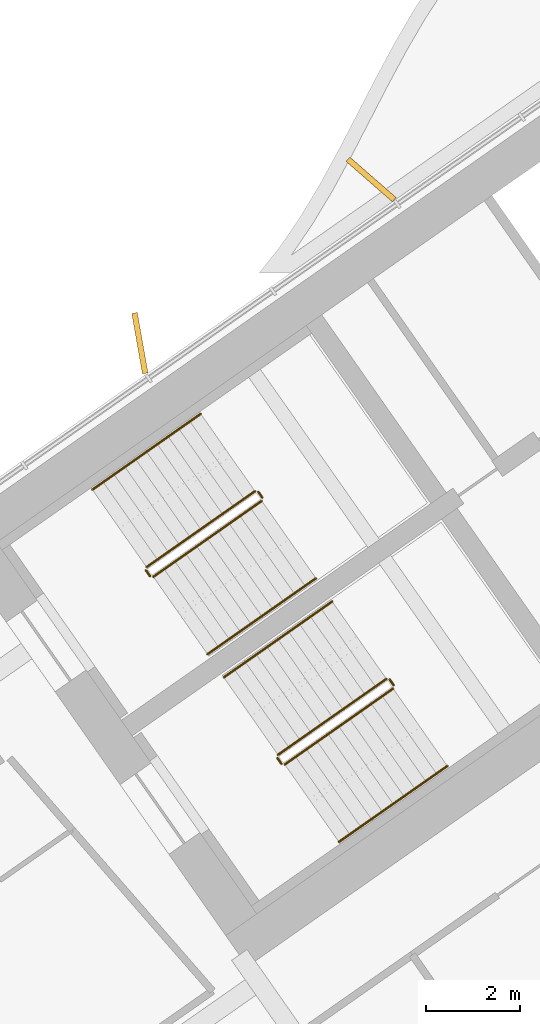
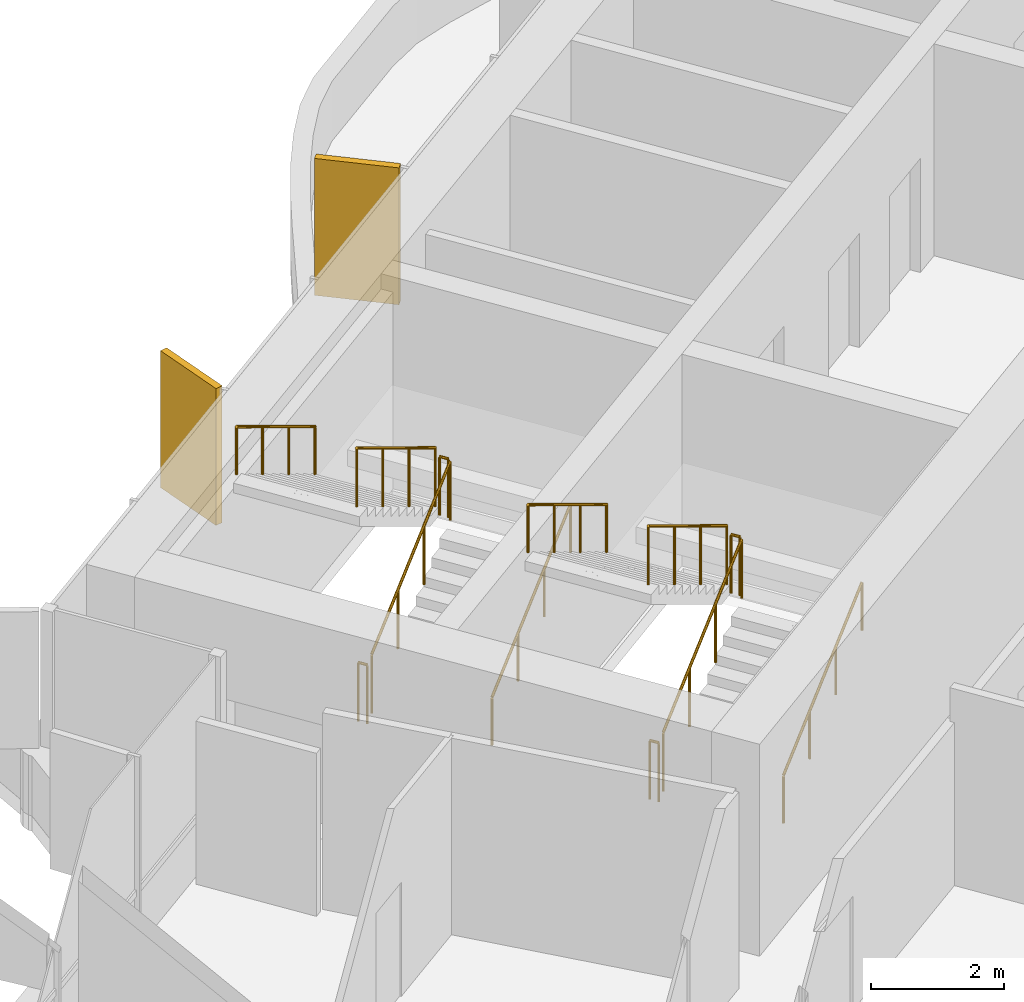
# One storey, part 18 of 21: 12 railings, 2 shading devices.
"""IFC4 building model written with IfcOpenShell, lengths in metres."""

from ifc_helpers import new_model, si_unit, direction, frame, origin, origin_2d, place, context, subcontext, project, spatial, rectangle, circle, extrude, material, layer, layer_set, type_object, element, save


model = new_model("IFC4")

# Units and contexts
model_context = context("Model", 3, precision=1e-05, world=origin(), true_north=direction((0.0, 1.0)))
body_context = subcontext(model_context, "Body", "Model", "MODEL_VIEW")
ifc_project = project(units=[si_unit("LENGTHUNIT", "METRE"), si_unit("AREAUNIT", "SQUARE_METRE"), si_unit("VOLUMEUNIT", "CUBIC_METRE"), si_unit("PLANEANGLEUNIT", "RADIAN"), si_unit("MASSUNIT", "GRAM", prefix="KILO")], contexts=[model_context])

# Site, building, storey
site_placement = place(None, origin())
site = spatial("IfcSite", under=ifc_project, at=site_placement, CompositionType="ELEMENT")
building_placement = place(site_placement, origin())
building = spatial("IfcBuilding", under=site, at=building_placement, Name="Tel Ilan Convention Tower", CompositionType="ELEMENT")
storey_placement = place(building_placement, frame((0.0, 0.0, 210.0)))
storey = spatial("IfcBuildingStorey", under=building, at=storey_placement, Name="L49", CompositionType="ELEMENT", Elevation=210.0)

# Shading devices
ifc_material_1 = material(Name="Aluminium, bronze anodised", Category="aluminium")
ifc_layer = layer(ifc_material_1, 0.1201171875)
ifc_layer_set = layer_set([ifc_layer], Name="FIN BRONZE 1300x120")
shading_device_type = type_object("IfcShadingDeviceType", Name="FIN BRONZE 1300x120", PredefinedType="USERDEFINED", material=ifc_layer_set)
for number, where, z_axis, x_axis, name in (
    (1, (-18.926025390625, 0.353271484375, 1.10009765625), (0.0, 0.0, 1.0), (-0.753435896329, 0.657521368568, 0.0), "FIN"),
    (2, (-23.82080078125, -3.11181640625, 1.10009765625), (0.0, 0.0, 1.0), (-0.173648177667, 0.984807753012, 0.0), "FIN"),
):
    element("IfcShadingDevice", number, at=place(storey_placement, frame(where, z_axis=z_axis, x_axis=x_axis)), inside=storey, type_object=shading_device_type, Name=name, ObjectType="FIN", PredefinedType="USERDEFINED", context=body_context, shape_type="SweptSolid", body=[
        extrude(rectangle(XDim=1.300048828125, YDim=0.1201171875, at=origin_2d()), origin(), (0.0, 0.0, 1.0), 2.52001953125),
    ])

# Railings
ifc_material_2 = material(Name="Stainless Steel Grade 316", Category="steel")
railing_type_1 = type_object("IfcRailingType", Name="Stainless Steel Stair Guard 1100 mm", PredefinedType="GUARDRAIL", material=ifc_material_2)
railing_1_placement = place(storey_placement, frame((-23.535400390625, -8.056396484375, 0.17724609375)))
element("IfcRailing", 3, at=railing_1_placement, inside=storey, type_object=railing_type_1, Name="L49 S1 stair guard 1", PredefinedType="GUARDRAIL", context=body_context, shape_type="SweptSolid", body=[
    extrude(circle(Radius=0.02392578125, at=origin_2d()), frame((0.0, 0.0, 1.076171875), z_axis=(0.692098378994, 0.484653031975, 0.534893701956), x_axis=(-0.573608623498, 0.819129505664, 0.0)), (0.0, 0.0, 1.0), 3.314208984375),
    extrude(circle(Radius=0.02099609375, at=origin_2d()), origin(), (0.0, 0.0, 1.0), 1.052001953125),
    extrude(circle(Radius=0.02099609375, at=origin_2d()), frame((0.7646484375, 0.535400390625, 0.5908203125)), (0.0, 0.0, 1.0), 1.052001953125),
    extrude(circle(Radius=0.02099609375, at=origin_2d()), frame((1.529052734375, 1.07080078125, 1.181884765625)), (0.0, 0.0, 1.0), 1.052001953125),
    extrude(circle(Radius=0.02099609375, at=origin_2d()), frame((2.293701171875, 1.606201171875, 1.772705078125)), (0.0, 0.0, 1.0), 1.052001953125),
])
railing_2_placement = place(storey_placement, frame((-21.2294921875, -6.380615234375, 1.949951171875)))
element("IfcRailing", 4, at=railing_2_placement, inside=storey, type_object=railing_type_1, Name="L49 S1 stair guard 2", PredefinedType="GUARDRAIL", context=body_context, shape_type="SweptSolid", body=[
    extrude(circle(Radius=0.02392578125, at=origin_2d()), frame((0.0, 0.0, 1.076171875), z_axis=(-0.573353020881, 0.819308436089, 0.0), x_axis=(-0.819308436089, -0.573353020881, 0.0)), (0.0, 0.0, 1.0), 0.14990234375),
    extrude(circle(Radius=0.02099609375, at=origin_2d()), origin(), (0.0, 0.0, 1.0), 1.052001953125),
    extrude(circle(Radius=0.02099609375, at=origin_2d()), frame((-0.0859375, 0.122802734375, 0.0)), (0.0, 0.0, 1.0), 1.052001953125),
])
railing_3_placement = place(storey_placement, frame((-21.38525390625, -6.24560546875, 2.127197265625)))
element("IfcRailing", 5, at=railing_3_placement, inside=storey, type_object=railing_type_1, Name="L49 S1 stair guard 3", PredefinedType="GUARDRAIL", context=body_context, shape_type="SweptSolid", body=[
    extrude(circle(Radius=0.02392578125, at=origin_2d()), frame((0.0, 0.0, 1.076171875), z_axis=(-0.692084706163, -0.484621375041, 0.534940073605), x_axis=(0.573591086599, -0.819141785879, 0.0)), (0.0, 0.0, 1.0), 3.313720703125),
    extrude(circle(Radius=0.02099609375, at=origin_2d()), origin(), (0.0, 0.0, 1.0), 1.052001953125),
    extrude(circle(Radius=0.02099609375, at=origin_2d()), frame((-0.764404296875, -0.535400390625, 0.5908203125)), (0.0, 0.0, 1.0), 1.052001953125),
    extrude(circle(Radius=0.02099609375, at=origin_2d()), frame((-1.529052734375, -1.070556640625, 1.181884765625)), (0.0, 0.0, 1.0), 1.052001953125),
    extrude(circle(Radius=0.02099609375, at=origin_2d()), frame((-2.29345703125, -1.60595703125, 1.772705078125)), (0.0, 0.0, 1.0), 1.052001953125),
])
railing_4_placement = place(storey_placement, frame((-23.60498046875, -8.0439453125, 0.0)))
element("IfcRailing", 6, at=railing_4_placement, inside=storey, type_object=railing_type_1, Name="L49 S1 stair guard 4", PredefinedType="GUARDRAIL", context=body_context, shape_type="SweptSolid", body=[
    extrude(circle(Radius=0.02392578125, at=origin_2d()), frame((0.0, 0.0, 1.076171875), z_axis=(-0.574444878118, 0.818543268254, 0.0), x_axis=(-0.818543268254, -0.574444878118, 0.0)), (0.0, 0.0, 1.0), 0.150146484375),
    extrude(circle(Radius=0.02099609375, at=origin_2d()), origin(), (0.0, 0.0, 1.0), 1.052001953125),
    extrude(circle(Radius=0.02099609375, at=origin_2d()), frame((-0.086181640625, 0.122802734375, 0.0)), (0.0, 0.0, 1.0), 1.052001953125),
])
railing_5_placement = place(storey_placement, frame((-20.753662109375, -12.029296875, 0.17724609375)))
element("IfcRailing", 7, at=railing_5_placement, inside=storey, type_object=railing_type_1, Name="L49 S2 stair guard 1", PredefinedType="GUARDRAIL", context=body_context, shape_type="SweptSolid", body=[
    extrude(circle(Radius=0.02392578125, at=origin_2d()), frame((0.0, 0.0, 1.076171875), z_axis=(0.692098378994, 0.484653031975, 0.534893701956), x_axis=(-0.573608623498, 0.819129505664, 0.0)), (0.0, 0.0, 1.0), 3.314208984375),
    extrude(circle(Radius=0.02099609375, at=origin_2d()), origin(), (0.0, 0.0, 1.0), 1.052001953125),
    extrude(circle(Radius=0.02099609375, at=origin_2d()), frame((0.7646484375, 0.535400390625, 0.5908203125)), (0.0, 0.0, 1.0), 1.052001953125),
    extrude(circle(Radius=0.02099609375, at=origin_2d()), frame((1.529052734375, 1.07080078125, 1.181884765625)), (0.0, 0.0, 1.0), 1.052001953125),
    extrude(circle(Radius=0.02099609375, at=origin_2d()), frame((2.293701171875, 1.606201171875, 1.772705078125)), (0.0, 0.0, 1.0), 1.052001953125),
])
railing_6_placement = place(storey_placement, frame((-18.44775390625, -10.353515625, 1.949951171875)))
element("IfcRailing", 8, at=railing_6_placement, inside=storey, type_object=railing_type_1, Name="L49 S2 stair guard 2", PredefinedType="GUARDRAIL", context=body_context, shape_type="SweptSolid", body=[
    extrude(circle(Radius=0.02392578125, at=origin_2d()), frame((0.0, 0.0, 1.076171875), z_axis=(-0.573353020881, 0.819308436089, 0.0), x_axis=(-0.819308436089, -0.573353020881, 0.0)), (0.0, 0.0, 1.0), 0.14990234375),
    extrude(circle(Radius=0.02099609375, at=origin_2d()), origin(), (0.0, 0.0, 1.0), 1.052001953125),
    extrude(circle(Radius=0.02099609375, at=origin_2d()), frame((-0.0859375, 0.122802734375, 0.0)), (0.0, 0.0, 1.0), 1.052001953125),
])
railing_7_placement = place(storey_placement, frame((-18.603271484375, -10.218505859375, 2.127197265625)))
element("IfcRailing", 9, at=railing_7_placement, inside=storey, type_object=railing_type_1, Name="L49 S2 stair guard 3", PredefinedType="GUARDRAIL", context=body_context, shape_type="SweptSolid", body=[
    extrude(circle(Radius=0.02392578125, at=origin_2d()), frame((0.0, 0.0, 1.076171875), z_axis=(-0.692123088272, -0.484596665743, 0.534912798717), x_axis=(0.573550118428, -0.819170471667, 0.0)), (0.0, 0.0, 1.0), 3.31396484375),
    extrude(circle(Radius=0.02099609375, at=origin_2d()), origin(), (0.0, 0.0, 1.0), 1.052001953125),
    extrude(circle(Radius=0.02099609375, at=origin_2d()), frame((-0.7646484375, -0.535400390625, 0.5908203125)), (0.0, 0.0, 1.0), 1.052001953125),
    extrude(circle(Radius=0.02099609375, at=origin_2d()), frame((-1.529052734375, -1.070556640625, 1.181884765625)), (0.0, 0.0, 1.0), 1.052001953125),
    extrude(circle(Radius=0.02099609375, at=origin_2d()), frame((-2.293701171875, -1.60595703125, 1.772705078125)), (0.0, 0.0, 1.0), 1.052001953125),
])
railing_8_placement = place(storey_placement, frame((-20.8232421875, -12.016845703125, 0.0)))
element("IfcRailing", 10, at=railing_8_placement, inside=storey, type_object=railing_type_1, Name="L49 S2 stair guard 4", PredefinedType="GUARDRAIL", context=body_context, shape_type="SweptSolid", body=[
    extrude(circle(Radius=0.02392578125, at=origin_2d()), frame((0.0, 0.0, 1.076171875), z_axis=(-0.573353020881, 0.819308436089, 0.0), x_axis=(-0.819308436089, -0.573353020881, 0.0)), (0.0, 0.0, 1.0), 0.14990234375),
    extrude(circle(Radius=0.02099609375, at=origin_2d()), origin(), (0.0, 0.0, 1.0), 1.052001953125),
    extrude(circle(Radius=0.02099609375, at=origin_2d()), frame((-0.0859375, 0.122802734375, 0.0)), (0.0, 0.0, 1.0), 1.052001953125),
])
ifc_material_3 = material(Name="Stainless Steel Grade 316", Category="steel")
railing_type_2 = type_object("IfcRailingType", Name="Stainless Steel Stair Handrail 900 mm", PredefinedType="HANDRAIL", material=ifc_material_3)
railing_9_placement = place(storey_placement, frame((-22.38818359375, -9.694580078125, 0.17724609375)))
element("IfcRailing", 11, at=railing_9_placement, inside=storey, type_object=railing_type_2, Name="L49 S1 stair handrail 1", PredefinedType="HANDRAIL", context=body_context, shape_type="SweptSolid", body=[
    extrude(circle(Radius=0.02392578125, at=origin_2d()), frame((0.0, 0.0, 0.8759765625), z_axis=(0.692084706163, 0.484621375041, 0.534940073605), x_axis=(-0.573591086599, 0.819141785879, 0.0)), (0.0, 0.0, 1.0), 3.313720703125),
    extrude(circle(Radius=0.02099609375, at=origin_2d()), origin(), (0.0, 0.0, 1.0), 0.851806640625),
    extrude(circle(Radius=0.02099609375, at=origin_2d()), frame((0.764404296875, 0.535400390625, 0.5908203125)), (0.0, 0.0, 1.0), 0.851806640625),
    extrude(circle(Radius=0.02099609375, at=origin_2d()), frame((1.529052734375, 1.070556640625, 1.181884765625)), (0.0, 0.0, 1.0), 0.851806640625),
    extrude(circle(Radius=0.02099609375, at=origin_2d()), frame((2.29345703125, 1.60595703125, 1.772705078125)), (0.0, 0.0, 1.0), 0.851806640625),
])
railing_10_placement = place(storey_placement, frame((-22.5322265625, -4.607177734375, 2.127197265625)))
element("IfcRailing", 12, at=railing_10_placement, inside=storey, type_object=railing_type_2, Name="L49 S1 stair handrail 2", PredefinedType="HANDRAIL", context=body_context, shape_type="SweptSolid", body=[
    extrude(circle(Radius=0.02392578125, at=origin_2d()), frame((0.0, 0.0, 0.8759765625), z_axis=(-0.692123088272, -0.484596665743, 0.534912798717), x_axis=(0.573550118428, -0.819170471667, 0.0)), (0.0, 0.0, 1.0), 3.31396484375),
    extrude(circle(Radius=0.02099609375, at=origin_2d()), origin(), (0.0, 0.0, 1.0), 0.851806640625),
    extrude(circle(Radius=0.02099609375, at=origin_2d()), frame((-0.7646484375, -0.535400390625, 0.5908203125)), (0.0, 0.0, 1.0), 0.851806640625),
    extrude(circle(Radius=0.02099609375, at=origin_2d()), frame((-1.529052734375, -1.070556640625, 1.181884765625)), (0.0, 0.0, 1.0), 0.851806640625),
    extrude(circle(Radius=0.02099609375, at=origin_2d()), frame((-2.293701171875, -1.60595703125, 1.772705078125)), (0.0, 0.0, 1.0), 0.851806640625),
])
railing_11_placement = place(storey_placement, frame((-19.6064453125, -13.66748046875, 0.17724609375)))
element("IfcRailing", 13, at=railing_11_placement, inside=storey, type_object=railing_type_2, Name="L49 S2 stair handrail 1", PredefinedType="HANDRAIL", context=body_context, shape_type="SweptSolid", body=[
    extrude(circle(Radius=0.02392578125, at=origin_2d()), frame((0.0, 0.0, 0.8759765625), z_axis=(0.692123088272, 0.484596665743, 0.534912798717), x_axis=(-0.573550118428, 0.819170471667, 0.0)), (0.0, 0.0, 1.0), 3.31396484375),
    extrude(circle(Radius=0.02099609375, at=origin_2d()), origin(), (0.0, 0.0, 1.0), 0.851806640625),
    extrude(circle(Radius=0.02099609375, at=origin_2d()), frame((0.7646484375, 0.535400390625, 0.5908203125)), (0.0, 0.0, 1.0), 0.851806640625),
    extrude(circle(Radius=0.02099609375, at=origin_2d()), frame((1.529052734375, 1.070556640625, 1.181884765625)), (0.0, 0.0, 1.0), 0.851806640625),
    extrude(circle(Radius=0.02099609375, at=origin_2d()), frame((2.293701171875, 1.60595703125, 1.772705078125)), (0.0, 0.0, 1.0), 0.851806640625),
])
railing_12_placement = place(storey_placement, frame((-19.75048828125, -8.580078125, 2.127197265625)))
element("IfcRailing", 14, at=railing_12_placement, inside=storey, type_object=railing_type_2, Name="L49 S2 stair handrail 2", PredefinedType="HANDRAIL", context=body_context, shape_type="SweptSolid", body=[
    extrude(circle(Radius=0.02392578125, at=origin_2d()), frame((0.0, 0.0, 0.8759765625), z_axis=(-0.692123088272, -0.484596665743, 0.534912798717), x_axis=(0.573550118428, -0.819170471667, 0.0)), (0.0, 0.0, 1.0), 3.31396484375),
    extrude(circle(Radius=0.02099609375, at=origin_2d()), origin(), (0.0, 0.0, 1.0), 0.851806640625),
    extrude(circle(Radius=0.02099609375, at=origin_2d()), frame((-0.7646484375, -0.535400390625, 0.5908203125)), (0.0, 0.0, 1.0), 0.851806640625),
    extrude(circle(Radius=0.02099609375, at=origin_2d()), frame((-1.529052734375, -1.070556640625, 1.181884765625)), (0.0, 0.0, 1.0), 0.851806640625),
    extrude(circle(Radius=0.02099609375, at=origin_2d()), frame((-2.293701171875, -1.60595703125, 1.772705078125)), (0.0, 0.0, 1.0), 0.851806640625),
])

save(model, "model.ifc")
